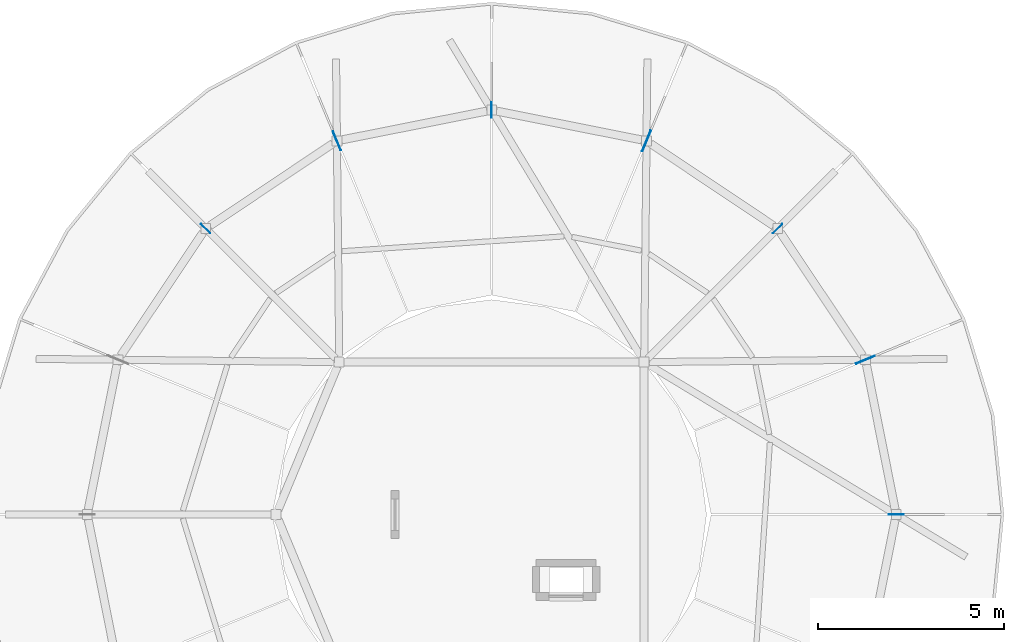
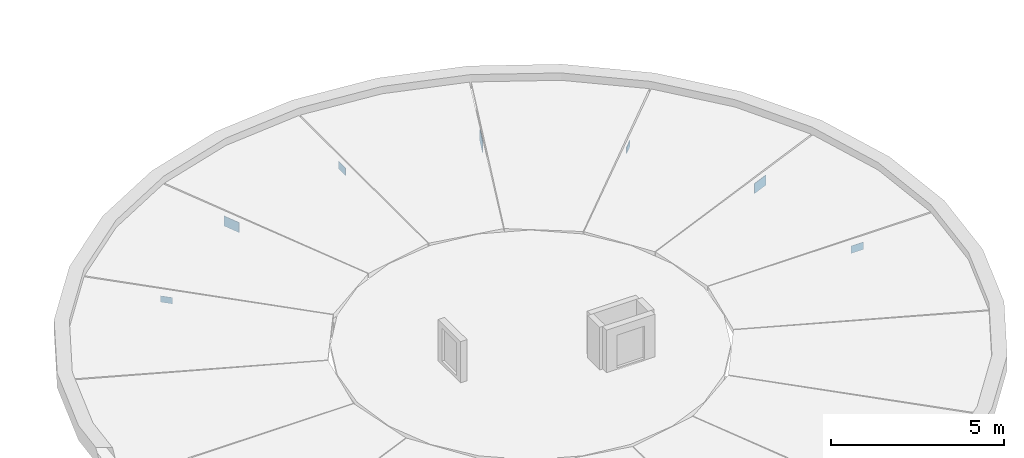
# One storey, part 16 of 37: 7 plates.
"""IFC4 building model written with IfcOpenShell, lengths in metres."""

from ifc_helpers import new_model, si_unit, direction, frame, origin, origin_2d, place, context, subcontext, project, spatial, rectangle, extrude, material, layer, layer_set, type_object, element, save


model = new_model("IFC4")

# Units and contexts
model_context = context("Model", 3, precision=1e-05, world=origin(), true_north=direction((0.0, 1.0)))
body_context = subcontext(model_context, "Body", "Model", "MODEL_VIEW")
ifc_project = project(units=[si_unit("LENGTHUNIT", "METRE"), si_unit("AREAUNIT", "SQUARE_METRE"), si_unit("VOLUMEUNIT", "CUBIC_METRE"), si_unit("PLANEANGLEUNIT", "RADIAN"), si_unit("MASSUNIT", "GRAM", prefix="KILO")], contexts=[model_context])

# Site, building, storey
site_placement = place(None, origin())
site = spatial("IfcSite", under=ifc_project, at=site_placement, CompositionType="ELEMENT")
building_placement = place(site_placement, origin())
building = spatial("IfcBuilding", under=site, at=building_placement, Name="Aldenvaro Health Centre", CompositionType="ELEMENT")
storey_placement = place(building_placement, frame((0.0, 0.0, 12.949951171875)))
storey = spatial("IfcBuildingStorey", under=building, at=storey_placement, Name="L03", CompositionType="ELEMENT", Elevation=12.949951171875)

# Plates
ifc_material = material(Name="Steel ASTM A572 Grade 50", Category="steel")
ifc_layer_1 = layer(ifc_material, 0.013916015625, Name="Steel ASTM A572 Grade 50", Category="steel")
ifc_layer_set_1 = layer_set([ifc_layer_1], Name="Steel ASTM A572 Grade 50")
plate_type_1 = type_object("IfcPlateType", Name="PLT-GUS-07", PredefinedType="SHEET", material=ifc_layer_set_1)
for number, where, z_axis, x_axis, name in (
    (1, (165.3798828125, 18.5, 0.28125), (0.0, 0.0, 1.0), (1.0, 0.0, 0.0), "D6 Rafter Eave Gusset 01"),
    (2, (154.5, 29.3798828125, 0.28125), (0.0, 0.0, 1.0), (0.0, 1.0, 0.0), "D6 Rafter Eave Gusset 05"),
):
    element("IfcPlate", number, at=place(storey_placement, frame(where, z_axis=z_axis, x_axis=x_axis)), inside=storey, type_object=plate_type_1, Name=name, PredefinedType="SHEET", context=body_context, shape_type="SweptSolid", body=[
        extrude(rectangle(XDim=0.409912109375, YDim=0.013916015625, at=origin_2d()), origin(), (0.0, 0.0, 1.0), 0.260009765625),
    ])
ifc_layer_2 = layer(ifc_material, 0.01904296875, Name="Steel ASTM A572 Grade 50", Category="steel")
ifc_layer_set_2 = layer_set([ifc_layer_2], Name="Steel ASTM A572 Grade 50")
plate_type_2 = type_object("IfcPlateType", Name="PLT-GUS-08", PredefinedType="SHEET", material=ifc_layer_set_2)
for number, where, z_axis, x_axis, name in (
    (3, (164.552001953125, 22.6640625, 0.236083984375), (0.0, 0.0, 1.0), (0.923868962566, 0.382708949475, 0.0), "D6 Rafter Eave Gusset 02"),
    (4, (150.3359375, 28.552001953125, 0.236083984375), (0.0, 0.0, 1.0), (-0.382708949475, 0.923868962566, 0.0), "D6 Rafter Eave Gusset 06"),
):
    element("IfcPlate", number, at=place(storey_placement, frame(where, z_axis=z_axis, x_axis=x_axis)), inside=storey, type_object=plate_type_2, Name=name, PredefinedType="SHEET", context=body_context, shape_type="SweptSolid", body=[
        extrude(rectangle(XDim=0.550048828125, YDim=0.01904296875, at=origin_2d()), origin(), (0.0, 0.0, 1.0), 0.35009765625),
    ])
ifc_layer_3 = layer(ifc_material, 0.011962890625, Name="Steel ASTM A572 Grade 50", Category="steel")
ifc_layer_set_3 = layer_set([ifc_layer_3], Name="Steel ASTM A572 Grade 50")
plate_type_3 = type_object("IfcPlateType", Name="PLT-GUS-09", PredefinedType="SHEET", material=ifc_layer_set_3)
for number, where, z_axis, x_axis, name in (
    (5, (162.193115234375, 26.193115234375, 0.30126953125), (0.0, 0.0, 1.0), (0.707106781187, 0.707106781187, 0.0), "D6 Rafter Eave Gusset 03"),
    (6, (146.806884765625, 26.193115234375, 0.30126953125), (0.0, 0.0, 1.0), (-0.707106781187, 0.707106781187, 0.0), "D6 Rafter Eave Gusset 07"),
):
    element("IfcPlate", number, at=place(storey_placement, frame(where, z_axis=z_axis, x_axis=x_axis)), inside=storey, type_object=plate_type_3, Name=name, PredefinedType="SHEET", context=body_context, shape_type="SweptSolid", body=[
        extrude(rectangle(XDim=0.35009765625, YDim=0.011962890625, at=origin_2d()), origin(), (0.0, 0.0, 1.0), 0.219970703125),
    ])
ifc_layer_4 = layer(ifc_material, 0.02099609375, Name="Steel ASTM A572 Grade 50", Category="steel")
ifc_layer_set_4 = layer_set([ifc_layer_4], Name="Steel ASTM A572 Grade 50")
plate_type_4 = type_object("IfcPlateType", Name="PLT-GUS-10", PredefinedType="SHEET", material=ifc_layer_set_4)
plate_placement = place(storey_placement, frame((158.6640625, 28.552001953125, 0.211181640625), z_axis=(0.0, 0.0, 1.0), x_axis=(0.382708949475, 0.923868962566, 0.0)))
element("IfcPlate", 7, at=plate_placement, inside=storey, type_object=plate_type_4, Name="D6 Rafter Eave Gusset 04", PredefinedType="SHEET", context=body_context, shape_type="SweptSolid", body=[
    extrude(rectangle(XDim=0.610107421875, YDim=0.02099609375, at=origin_2d()), origin(), (0.0, 0.0, 1.0), 0.39990234375),
])

save(model, "model.ifc")
